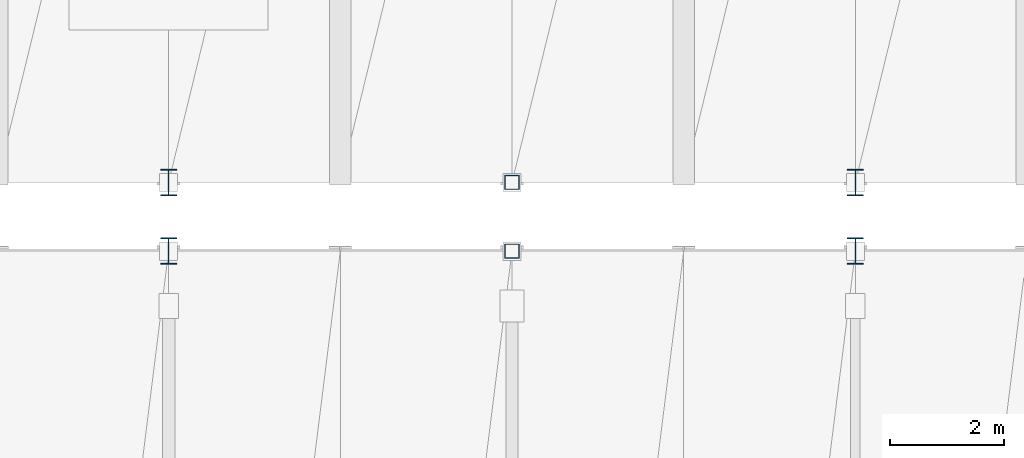
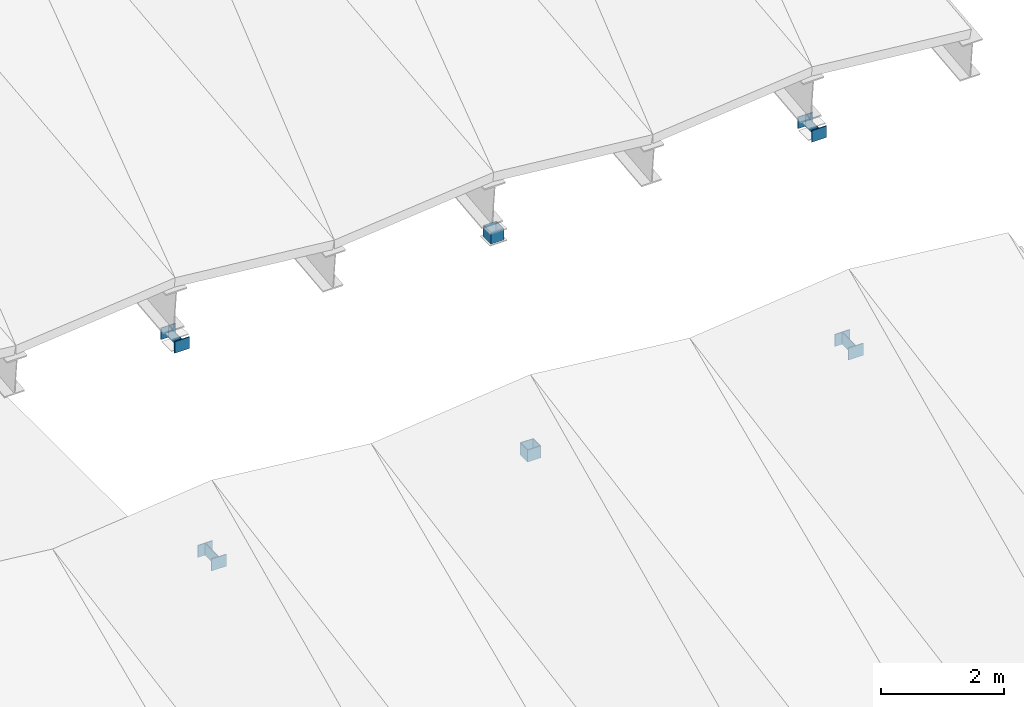
# One storey, part 15 of 52: 6 members.
"""IFC4 building model written with IfcOpenShell, lengths in metres."""

from ifc_helpers import new_model, si_unit, direction, frame, origin, origin_2d, place, context, subcontext, project, spatial, hollow_rectangle, i_section, extrude, material, material_profile, profile_set, type_object, element, save


model = new_model("IFC4")

# Units and contexts
model_context = context("Model", 3, precision=1e-05, world=origin(), true_north=direction((0.0, 1.0)))
body_context = subcontext(model_context, "Body", "Model", "MODEL_VIEW")
ifc_project = project(units=[si_unit("LENGTHUNIT", "METRE"), si_unit("AREAUNIT", "SQUARE_METRE"), si_unit("VOLUMEUNIT", "CUBIC_METRE"), si_unit("PLANEANGLEUNIT", "RADIAN"), si_unit("MASSUNIT", "GRAM", prefix="KILO")], contexts=[model_context])

# Site, building, storey
site_placement = place(None, origin())
site = spatial("IfcSite", under=ifc_project, at=site_placement, CompositionType="ELEMENT")
building_placement = place(site_placement, origin())
building = spatial("IfcBuilding", under=site, at=building_placement, Name="Vaelkrest Opera House", CompositionType="ELEMENT")
storey_placement = place(building_placement, frame((0.0, 0.0, 41.39990234375)))
storey = spatial("IfcBuildingStorey", under=building, at=storey_placement, Name="ROOF", CompositionType="ELEMENT", Elevation=41.39990234375)

# Members
ifc_material_1 = material(Name="Steel A992 Gr50", Category="steel")
ifc_material_profile_1 = material_profile(ifc_material_1, i_section(OverallWidth=0.280029296875, OverallDepth=0.462890625, WebThickness=0.0107421875, FlangeThickness=0.017333984375, at=origin_2d()), Name="W18X76")
ifc_profile_set_1 = profile_set([ifc_material_profile_1], Name="Steel A992 Gr50")
member_type_1 = type_object("IfcMemberType", Name="TC01", PredefinedType="CHORD", material=ifc_profile_set_1)
for number, where, z_axis, x_axis, name in (
    (1, (15.0, 16.199951171875, -4.6259765625), (0.0, 0.0, 1.0), (1.0, 0.0, 0.0), "Ridge saddle post V1-N-15"),
    (2, (27.0, 16.199951171875, -4.6259765625), (0.0, 0.0, 1.0), (1.0, 0.0, 0.0), "Ridge saddle post V1-N-19"),
):
    element("IfcMember", number, at=place(storey_placement, frame(where, z_axis=z_axis, x_axis=x_axis)), inside=storey, type_object=member_type_1, Name=name, PredefinedType="CHORD", context=body_context, shape_type="SweptSolid", body=[
        extrude(i_section(OverallWidth=0.280029296875, OverallDepth=0.462890625, WebThickness=0.0107421875, FlangeThickness=0.017333984375, at=origin_2d()), origin(), (0.0, 0.0, 1.0), 0.238037109375),
    ])
for number, where, z_axis, x_axis, name in (
    (3, (15.0, 17.39990234375, -1.014892578125), (0.0, 0.0, 1.0), (1.0, 0.0, 0.0), "Ridge saddle post V2-S-11"),
    (4, (27.0, 17.39990234375, -1.014892578125), (0.0, 0.0, 1.0), (1.0, 0.0, 0.0), "Ridge saddle post V2-S-15"),
):
    element("IfcMember", number, at=place(storey_placement, frame(where, z_axis=z_axis, x_axis=x_axis)), inside=storey, type_object=member_type_1, Name=name, PredefinedType="CHORD", context=body_context, shape_type="SweptSolid", body=[
        extrude(i_section(OverallWidth=0.280029296875, OverallDepth=0.462890625, WebThickness=0.0107421875, FlangeThickness=0.017333984375, at=origin_2d()), origin(), (0.0, 0.0, 1.0), 0.22802734375),
    ])
ifc_material_2 = material(Name="Steel A500 GrC", Category="steel")
ifc_material_profile_2 = material_profile(ifc_material_2, hollow_rectangle(XDim=0.25390625, YDim=0.25390625, WallThickness=0.0126953125, at=origin_2d()), Name="HSS254X254X12.7")
ifc_profile_set_2 = profile_set([ifc_material_profile_2], Name="Steel A500 GrC")
member_type_2 = type_object("IfcMemberType", Name="TC04", PredefinedType="CHORD", material=ifc_profile_set_2)
member_1_placement = place(storey_placement, frame((21.0, 16.199951171875, -4.6259765625), z_axis=(0.0, 0.0, 1.0), x_axis=(1.0, 0.0, 0.0)))
element("IfcMember", 5, at=member_1_placement, inside=storey, type_object=member_type_2, Name="Ridge saddle post V1-N-17", PredefinedType="CHORD", context=body_context, shape_type="SweptSolid", body=[
    extrude(hollow_rectangle(XDim=0.25390625, YDim=0.25390625, WallThickness=0.0126953125, at=origin_2d()), origin(), (0.0, 0.0, 1.0), 0.238037109375),
])
member_2_placement = place(storey_placement, frame((21.0, 17.39990234375, -1.014892578125), z_axis=(0.0, 0.0, 1.0), x_axis=(1.0, 0.0, 0.0)))
element("IfcMember", 6, at=member_2_placement, inside=storey, type_object=member_type_2, Name="Ridge saddle post V2-S-13", PredefinedType="CHORD", context=body_context, shape_type="SweptSolid", body=[
    extrude(hollow_rectangle(XDim=0.25390625, YDim=0.25390625, WallThickness=0.0126953125, at=origin_2d()), origin(), (0.0, 0.0, 1.0), 0.22802734375),
])

save(model, "model.ifc")
